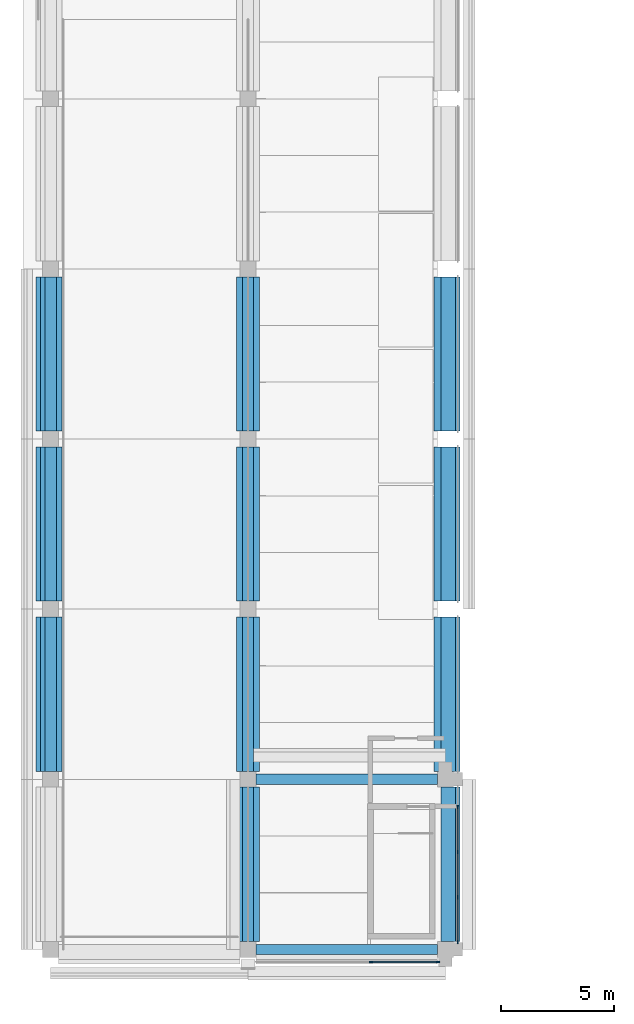
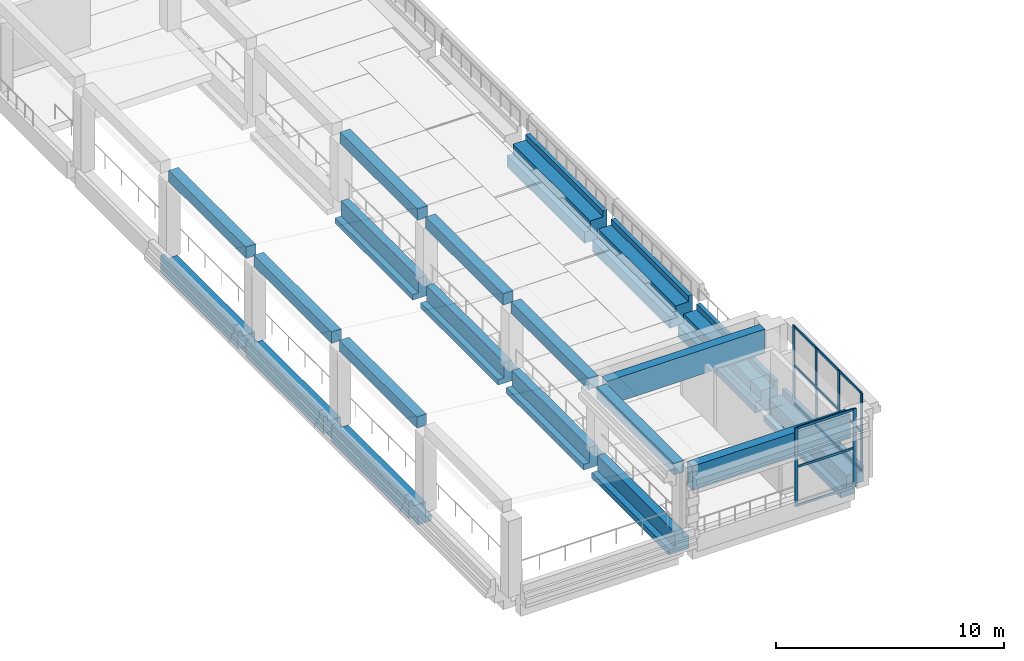
# One storey, part 2 of 17: 20 beams, 18 members, 2 elements without a shape of their own.
"""IFC4 building model written with IfcOpenShell, lengths in metres."""

from ifc_helpers import new_model, si_unit, direction, frame, origin, origin_2d, place, context, subcontext, project, spatial, polyline, rectangle, outline, extrude, material, layer, layer_set, material_profile, profile_set, type_object, element, aggregate, save


model = new_model("IFC4")

# Units and contexts
model_context = context("Model", 3, precision=1e-05, world=origin(), true_north=direction((0.0, 1.0)))
body_context = subcontext(model_context, "Body", "Model", "MODEL_VIEW")
ifc_project = project(units=[si_unit("LENGTHUNIT", "METRE"), si_unit("AREAUNIT", "SQUARE_METRE"), si_unit("VOLUMEUNIT", "CUBIC_METRE"), si_unit("PLANEANGLEUNIT", "RADIAN"), si_unit("MASSUNIT", "GRAM", prefix="KILO")], contexts=[model_context])

# Site, building, storey
site_placement = place(None, origin())
site = spatial("IfcSite", under=ifc_project, at=site_placement, CompositionType="ELEMENT")
building_placement = place(site_placement, origin())
building = spatial("IfcBuilding", under=site, at=building_placement, Name="Cour d'Honneur Mobility Palace", CompositionType="ELEMENT")
storey_placement = place(building_placement, frame((0.0, 0.0, 34.10009765625)))
storey = spatial("IfcBuildingStorey", under=building, at=storey_placement, Name="L09", CompositionType="ELEMENT", Elevation=34.10009765625)

# Curtain wall, members
ifc_material_1 = material(Name="Aluminium and glass", Category="aluminium")
ifc_layer = layer(ifc_material_1, 0.10009765625)
ifc_layer_set = layer_set([ifc_layer], Name="Aluminium and glass")
curtain_wall_type = type_object("IfcCurtainWallType", Name="Curtain wall run", PredefinedType="NOTDEFINED", material=ifc_layer_set)
curtain_wall_1_placement = place(storey_placement, origin())
curtain_wall_1 = element("IfcCurtainWall", 1, at=curtain_wall_1_placement, inside=storey, type_object=curtain_wall_type, Name="Curtain wall CW-169", PredefinedType="NOTDEFINED")
ifc_material_2 = material(Name="Aluminium", Category="aluminium")
ifc_material_profile_1 = material_profile(ifc_material_2, rectangle(XDim=0.06005859375, YDim=0.159912109375, at=origin_2d()), Name="Curtain wall mullion")
ifc_profile_set_1 = profile_set([ifc_material_profile_1], Name="Aluminium")
member_type_1 = type_object("IfcMemberType", Name="Curtain wall mullion", PredefinedType="MULLION", material=ifc_profile_set_1)
member_1_placement = place(storey_placement, frame((14.1298828125, -0.550048828125, 0.0), z_axis=(0.0, 0.0, 1.0), x_axis=(0.0, 1.0, 0.0)))
member_1 = element("IfcMember", 2, at=member_1_placement, type_object=member_type_1, Name="CW-169 mullion 1", PredefinedType="MULLION", context=body_context, shape_type="SweptSolid", body=[
    extrude(rectangle(XDim=0.06005859375, YDim=0.159912109375, at=origin_2d()), origin(), (0.0, 0.0, 1.0), 4.199951171875),
])
member_2_placement = place(storey_placement, frame((17.070068359375, -0.550048828125, 0.0), z_axis=(0.0, 0.0, 1.0), x_axis=(0.0, 1.0, 0.0)))
member_2 = element("IfcMember", 3, at=member_2_placement, type_object=member_type_1, Name="CW-169 mullion 2", PredefinedType="MULLION", context=body_context, shape_type="SweptSolid", body=[
    extrude(rectangle(XDim=0.06005859375, YDim=0.159912109375, at=origin_2d()), origin(), (0.0, 0.0, 1.0), 4.199951171875),
])

curtain_wall_2_placement = place(storey_placement, origin())
curtain_wall_2 = element("IfcCurtainWall", 4, at=curtain_wall_2_placement, inside=storey, type_object=curtain_wall_type, Name="Curtain wall CW-170", PredefinedType="NOTDEFINED")
member_3_placement = place(storey_placement, frame((17.949951171875, 0.330078125, 0.0), z_axis=(0.0, 0.0, 1.0), x_axis=(-1.0, 0.0, 0.0)))
member_3 = element("IfcMember", 5, at=member_3_placement, type_object=member_type_1, Name="CW-170 mullion 1", PredefinedType="MULLION", context=body_context, shape_type="SweptSolid", body=[
    extrude(rectangle(XDim=0.06005859375, YDim=0.159912109375, at=origin_2d()), origin(), (0.0, 0.0, 1.0), 4.199951171875),
])
member_4_placement = place(storey_placement, frame((17.949951171875, 2.300048828125, 0.0), z_axis=(0.0, 0.0, 1.0), x_axis=(-1.0, 0.0, 0.0)))
member_4 = element("IfcMember", 6, at=member_4_placement, type_object=member_type_1, Name="CW-170 mullion 2", PredefinedType="MULLION", context=body_context, shape_type="SweptSolid", body=[
    extrude(rectangle(XDim=0.06005859375, YDim=0.159912109375, at=origin_2d()), origin(), (0.0, 0.0, 1.0), 4.199951171875),
])
member_5_placement = place(storey_placement, frame((17.949951171875, 4.300048828125, 0.0), z_axis=(0.0, 0.0, 1.0), x_axis=(-1.0, 0.0, 0.0)))
member_5 = element("IfcMember", 7, at=member_5_placement, type_object=member_type_1, Name="CW-170 mullion 3", PredefinedType="MULLION", context=body_context, shape_type="SweptSolid", body=[
    extrude(rectangle(XDim=0.06005859375, YDim=0.159912109375, at=origin_2d()), origin(), (0.0, 0.0, 1.0), 4.199951171875),
])
member_6_placement = place(storey_placement, frame((17.949951171875, 6.27001953125, 0.0), z_axis=(0.0, 0.0, 1.0), x_axis=(-1.0, 0.0, 0.0)))
member_6 = element("IfcMember", 8, at=member_6_placement, type_object=member_type_1, Name="CW-170 mullion 4", PredefinedType="MULLION", context=body_context, shape_type="SweptSolid", body=[
    extrude(rectangle(XDim=0.06005859375, YDim=0.159912109375, at=origin_2d()), origin(), (0.0, 0.0, 1.0), 4.199951171875),
])

# Member
ifc_material_3 = material(Name="Aluminium", Category="aluminium")
ifc_material_profile_2 = material_profile(ifc_material_3, rectangle(XDim=0.06005859375, YDim=0.1201171875, at=origin_2d()), Name="Curtain wall transom")
ifc_profile_set_2 = profile_set([ifc_material_profile_2], Name="Aluminium")
member_type_2 = type_object("IfcMemberType", Name="Curtain wall transom", PredefinedType="USERDEFINED", material=ifc_profile_set_2)
member_7_placement = place(storey_placement, frame((14.159912109375, -0.550048828125, 0.02978515625), z_axis=(1.0, 0.0, 0.0), x_axis=(0.0, 1.0, 0.0)))
member_7 = element("IfcMember", 9, at=member_7_placement, type_object=member_type_2, Name="CW-169 transom 1.1", ObjectType="TRANSOM", PredefinedType="USERDEFINED", context=body_context, shape_type="SweptSolid", body=[
    extrude(rectangle(XDim=0.06005859375, YDim=0.1201171875, at=origin_2d()), origin(), (0.0, 0.0, 1.0), 2.880126953125),
])

member_8_placement = place(storey_placement, frame((14.159912109375, -0.550048828125, 2.099853515625), z_axis=(1.0, 0.0, 0.0), x_axis=(0.0, 1.0, 0.0)))
member_8 = element("IfcMember", 10, at=member_8_placement, type_object=member_type_2, Name="CW-169 transom 1.2", ObjectType="TRANSOM", PredefinedType="USERDEFINED", context=body_context, shape_type="SweptSolid", body=[
    extrude(rectangle(XDim=0.06005859375, YDim=0.1201171875, at=origin_2d()), origin(), (0.0, 0.0, 1.0), 2.880126953125),
])

member_9_placement = place(storey_placement, frame((14.159912109375, -0.550048828125, 4.169921875), z_axis=(1.0, 0.0, 0.0), x_axis=(0.0, 1.0, 0.0)))
member_9 = element("IfcMember", 11, at=member_9_placement, type_object=member_type_2, Name="CW-169 transom 1.3", ObjectType="TRANSOM", PredefinedType="USERDEFINED", context=body_context, shape_type="SweptSolid", body=[
    extrude(rectangle(XDim=0.06005859375, YDim=0.1201171875, at=origin_2d()), origin(), (0.0, 0.0, 1.0), 2.880126953125),
])

aggregate(curtain_wall_1, [member_1, member_2, member_7, member_8, member_9])

member_10_placement = place(storey_placement, frame((17.949951171875, 0.360107421875, 0.02978515625), z_axis=(0.0, 1.0, 0.0), x_axis=(-1.0, 0.0, 0.0)))
member_10 = element("IfcMember", 12, at=member_10_placement, type_object=member_type_2, Name="CW-170 transom 1.1", ObjectType="TRANSOM", PredefinedType="USERDEFINED", context=body_context, shape_type="SweptSolid", body=[
    extrude(rectangle(XDim=0.06005859375, YDim=0.1201171875, at=origin_2d()), origin(), (0.0, 0.0, 1.0), 1.909912109375),
])

member_11_placement = place(storey_placement, frame((17.949951171875, 0.360107421875, 2.099853515625), z_axis=(0.0, 1.0, 0.0), x_axis=(-1.0, 0.0, 0.0)))
member_11 = element("IfcMember", 13, at=member_11_placement, type_object=member_type_2, Name="CW-170 transom 1.2", ObjectType="TRANSOM", PredefinedType="USERDEFINED", context=body_context, shape_type="SweptSolid", body=[
    extrude(rectangle(XDim=0.06005859375, YDim=0.1201171875, at=origin_2d()), origin(), (0.0, 0.0, 1.0), 1.909912109375),
])

member_12_placement = place(storey_placement, frame((17.949951171875, 0.360107421875, 4.169921875), z_axis=(0.0, 1.0, 0.0), x_axis=(-1.0, 0.0, 0.0)))
member_12 = element("IfcMember", 14, at=member_12_placement, type_object=member_type_2, Name="CW-170 transom 1.3", ObjectType="TRANSOM", PredefinedType="USERDEFINED", context=body_context, shape_type="SweptSolid", body=[
    extrude(rectangle(XDim=0.06005859375, YDim=0.1201171875, at=origin_2d()), origin(), (0.0, 0.0, 1.0), 1.909912109375),
])

member_13_placement = place(storey_placement, frame((17.949951171875, 2.330078125, 0.02978515625), z_axis=(0.0, 1.0, 0.0), x_axis=(-1.0, 0.0, 0.0)))
member_13 = element("IfcMember", 15, at=member_13_placement, type_object=member_type_2, Name="CW-170 transom 2.1", ObjectType="TRANSOM", PredefinedType="USERDEFINED", context=body_context, shape_type="SweptSolid", body=[
    extrude(rectangle(XDim=0.06005859375, YDim=0.1201171875, at=origin_2d()), origin(), (0.0, 0.0, 1.0), 1.93994140625),
])

member_14_placement = place(storey_placement, frame((17.949951171875, 2.330078125, 2.099853515625), z_axis=(0.0, 1.0, 0.0), x_axis=(-1.0, 0.0, 0.0)))
member_14 = element("IfcMember", 16, at=member_14_placement, type_object=member_type_2, Name="CW-170 transom 2.2", ObjectType="TRANSOM", PredefinedType="USERDEFINED", context=body_context, shape_type="SweptSolid", body=[
    extrude(rectangle(XDim=0.06005859375, YDim=0.1201171875, at=origin_2d()), origin(), (0.0, 0.0, 1.0), 1.93994140625),
])

member_15_placement = place(storey_placement, frame((17.949951171875, 2.330078125, 4.169921875), z_axis=(0.0, 1.0, 0.0), x_axis=(-1.0, 0.0, 0.0)))
member_15 = element("IfcMember", 17, at=member_15_placement, type_object=member_type_2, Name="CW-170 transom 2.3", ObjectType="TRANSOM", PredefinedType="USERDEFINED", context=body_context, shape_type="SweptSolid", body=[
    extrude(rectangle(XDim=0.06005859375, YDim=0.1201171875, at=origin_2d()), origin(), (0.0, 0.0, 1.0), 1.93994140625),
])

member_16_placement = place(storey_placement, frame((17.949951171875, 4.330078125, 0.02978515625), z_axis=(0.0, 1.0, 0.0), x_axis=(-1.0, 0.0, 0.0)))
member_16 = element("IfcMember", 18, at=member_16_placement, type_object=member_type_2, Name="CW-170 transom 3.1", ObjectType="TRANSOM", PredefinedType="USERDEFINED", context=body_context, shape_type="SweptSolid", body=[
    extrude(rectangle(XDim=0.06005859375, YDim=0.1201171875, at=origin_2d()), origin(), (0.0, 0.0, 1.0), 1.909912109375),
])

member_17_placement = place(storey_placement, frame((17.949951171875, 4.330078125, 2.099853515625), z_axis=(0.0, 1.0, 0.0), x_axis=(-1.0, 0.0, 0.0)))
member_17 = element("IfcMember", 19, at=member_17_placement, type_object=member_type_2, Name="CW-170 transom 3.2", ObjectType="TRANSOM", PredefinedType="USERDEFINED", context=body_context, shape_type="SweptSolid", body=[
    extrude(rectangle(XDim=0.06005859375, YDim=0.1201171875, at=origin_2d()), origin(), (0.0, 0.0, 1.0), 1.909912109375),
])

member_18_placement = place(storey_placement, frame((17.949951171875, 4.330078125, 4.169921875), z_axis=(0.0, 1.0, 0.0), x_axis=(-1.0, 0.0, 0.0)))
member_18 = element("IfcMember", 20, at=member_18_placement, type_object=member_type_2, Name="CW-170 transom 3.3", ObjectType="TRANSOM", PredefinedType="USERDEFINED", context=body_context, shape_type="SweptSolid", body=[
    extrude(rectangle(XDim=0.06005859375, YDim=0.1201171875, at=origin_2d()), origin(), (0.0, 0.0, 1.0), 1.909912109375),
])

aggregate(curtain_wall_2, [member_3, member_4, member_5, member_6, member_10, member_11, member_12, member_13, member_14, member_15, member_16, member_17, member_18])

# Beams
ifc_material_4 = material(Name="Concrete C45", Category="concrete")
ifc_material_profile_3 = material_profile(ifc_material_4, outline(polyline([(0.22509765625, -1.300048828125), (0.22509765625, 0.0), (-0.22509765625, 0.0), (-0.22509765625, -1.300048828125), (0.22509765625, -1.300048828125)])), Name="Edge Spandrel Beam 450x1300 no ledge plain")
ifc_profile_set_3 = profile_set([ifc_material_profile_3], Name="Concrete C45")
beam_type_1 = type_object("IfcBeamType", Name="Edge Spandrel Beam 450x1300 no ledge plain", PredefinedType="SPANDREL", material=ifc_profile_set_3)
for number, where, z_axis, x_axis, name in (
    (21, (9.050048828125, 0.0, 3.699951171875), (1.0, 0.0, 0.0), (0.0, 1.0, 0.0), "Precast beam B25 1A-2 ROOF"),
    (22, (9.050048828125, 7.5, 3.699951171875), (1.0, 0.0, 0.0), (0.0, 1.0, 0.0), "Precast beam B25 1A-2 ROOF"),
):
    element("IfcBeam", number, at=place(storey_placement, frame(where, z_axis=z_axis, x_axis=x_axis)), inside=storey, type_object=beam_type_1, Name=name, PredefinedType="SPANDREL", context=body_context, shape_type="SweptSolid", body=[
        extrude(outline(polyline([(0.22509765625, -1.300048828125), (0.22509765625, 0.0), (-0.22509765625, 0.0), (-0.22509765625, -1.300048828125), (0.22509765625, -1.300048828125)])), origin(), (0.0, 0.0, 1.0), 8.0),
    ])
ifc_material_5 = material(Name="Concrete C45", Category="concrete")
ifc_material_profile_4 = material_profile(ifc_material_5, outline(polyline([(0.5, -1.10009765625), (0.5, -0.800048828125), (0.199951171875, -0.800048828125), (0.199951171875, 0.0), (-0.199951171875, 0.0), (-0.199951171875, -0.5), (-0.5, -0.5), (-0.5, -1.10009765625), (0.5, -1.10009765625)])), Name="Inverted Tee Beam 400x1100 ledges 300/600 plain")
ifc_profile_set_4 = profile_set([ifc_material_profile_4], Name="Concrete C45")
beam_type_2 = type_object("IfcBeamType", Name="Inverted Tee Beam 400x1100 ledges 300/600 plain", PredefinedType="T_BEAM", material=ifc_profile_set_4)
for number, where, z_axis, x_axis, name in (
    (23, (8.699951171875, 7.85009765625, 0.0), (0.0, 1.0, 0.0), (-1.0, 0.0, 0.0), "Precast beam B11 B-C L09"),
    (24, (8.699951171875, 15.35009765625, 0.0), (0.0, 1.0, 0.0), (-1.0, 0.0, 0.0), "Precast beam B11 C-D L09"),
    (25, (8.699951171875, 22.85009765625, 0.0), (0.0, 1.0, 0.0), (-1.0, 0.0, 0.0), "Precast beam B11 D-E L09"),
):
    element("IfcBeam", number, at=place(storey_placement, frame(where, z_axis=z_axis, x_axis=x_axis)), inside=storey, type_object=beam_type_2, Name=name, PredefinedType="T_BEAM", context=body_context, shape_type="SweptSolid", body=[
        extrude(outline(polyline([(0.5, -1.10009765625), (0.5, -0.800048828125), (0.199951171875, -0.800048828125), (0.199951171875, 0.0), (-0.199951171875, 0.0), (-0.199951171875, -0.5), (-0.5, -0.5), (-0.5, -1.10009765625), (0.5, -1.10009765625)])), origin(), (0.0, 0.0, 1.0), 6.7998046875),
    ])
ifc_material_6 = material(Name="Concrete C45", Category="concrete")
ifc_material_profile_5 = material_profile(ifc_material_6, outline(polyline([(0.5, -1.10009765625), (0.5, -0.800048828125), (0.199951171875, -0.800048828125), (0.199951171875, 0.0), (-0.199951171875, 0.0), (-0.199951171875, -0.39990234375), (-0.5, -0.39990234375), (-0.5, -1.10009765625), (0.5, -1.10009765625)])), Name="Inverted Tee Beam 400x1100 ledges 300/700 plain")
ifc_profile_set_5 = profile_set([ifc_material_profile_5], Name="Concrete C45")
beam_type_3 = type_object("IfcBeamType", Name="Inverted Tee Beam 400x1100 ledges 300/700 plain", PredefinedType="T_BEAM", material=ifc_profile_set_5)
beam_1_placement = place(storey_placement, frame((8.699951171875, 0.35009765625, 0.0), z_axis=(0.0, 1.0, 0.0), x_axis=(-1.0, 0.0, 0.0)))
element("IfcBeam", 26, at=beam_1_placement, inside=storey, type_object=beam_type_3, Name="Precast beam B10 A-B L09", PredefinedType="T_BEAM", context=body_context, shape_type="SweptSolid", body=[
    extrude(outline(polyline([(0.5, -1.10009765625), (0.5, -0.800048828125), (0.199951171875, -0.800048828125), (0.199951171875, 0.0), (-0.199951171875, 0.0), (-0.199951171875, -0.39990234375), (-0.5, -0.39990234375), (-0.5, -1.10009765625), (0.5, -1.10009765625)])), origin(), (0.0, 0.0, 1.0), 6.7998046875),
])
ifc_material_7 = material(Name="Concrete C45", Category="concrete")
ifc_material_profile_6 = material_profile(ifc_material_7, outline(polyline([(0.5, -1.10009765625), (0.5, -0.800048828125), (0.199951171875, -0.800048828125), (0.199951171875, 0.0), (-0.199951171875, 0.0), (-0.449951171875, 0.0), (-0.449951171875, 0.300048828125), (-0.64990234375, 0.300048828125), (-0.64990234375, -0.60009765625), (-0.199951171875, -0.60009765625), (-0.199951171875, -1.10009765625), (0.5, -1.10009765625)])), Name="Ledger Beam 400x1100 ledge left 300 facade right")
ifc_profile_set_6 = profile_set([ifc_material_profile_6], Name="Concrete C45")
beam_type_4 = type_object("IfcBeamType", Name="Ledger Beam 400x1100 ledge left 300 facade right", PredefinedType="BEAM", material=ifc_profile_set_6)
beam_2_placement = place(storey_placement, frame((17.39990234375, 0.35009765625, 0.0), z_axis=(0.0, 1.0, 0.0), x_axis=(-1.0, 0.0, 0.0)))
element("IfcBeam", 27, at=beam_2_placement, inside=storey, type_object=beam_type_4, Name="Precast beam B3 A-B L09", PredefinedType="BEAM", context=body_context, shape_type="SweptSolid", body=[
    extrude(outline(polyline([(0.5, -1.10009765625), (0.5, -0.800048828125), (0.199951171875, -0.800048828125), (0.199951171875, 0.0), (-0.199951171875, 0.0), (-0.449951171875, 0.0), (-0.449951171875, 0.300048828125), (-0.64990234375, 0.300048828125), (-0.64990234375, -0.60009765625), (-0.199951171875, -0.60009765625), (-0.199951171875, -1.10009765625), (0.5, -1.10009765625)])), origin(), (0.0, 0.0, 1.0), 6.7998046875),
])
ifc_material_8 = material(Name="Concrete C45", Category="concrete")
ifc_material_profile_7 = material_profile(ifc_material_8, outline(polyline([(0.5, -1.10009765625), (0.5, -0.5), (0.199951171875, -0.5), (0.199951171875, 0.0), (-0.199951171875, 0.0), (-0.449951171875, 0.0), (-0.449951171875, 0.300048828125), (-0.64990234375, 0.300048828125), (-0.64990234375, -0.60009765625), (-0.199951171875, -0.60009765625), (-0.199951171875, -1.10009765625), (0.5, -1.10009765625)])), Name="Ledger Beam 400x1100 ledge left 600 facade right")
ifc_profile_set_7 = profile_set([ifc_material_profile_7], Name="Concrete C45")
beam_type_5 = type_object("IfcBeamType", Name="Ledger Beam 400x1100 ledge left 600 facade right", PredefinedType="BEAM", material=ifc_profile_set_7)
for number, where, z_axis, x_axis, name in (
    (28, (17.39990234375, 7.85009765625, 0.0), (0.0, 1.0, 0.0), (-1.0, 0.0, 0.0), "Precast beam B12 B-C L09"),
    (29, (17.39990234375, 15.35009765625, 0.0), (0.0, 1.0, 0.0), (-1.0, 0.0, 0.0), "Precast beam B12 C-D L09"),
    (30, (17.39990234375, 22.85009765625, 0.0), (0.0, 1.0, 0.0), (-1.0, 0.0, 0.0), "Precast beam B12 D-E L09"),
):
    element("IfcBeam", number, at=place(storey_placement, frame(where, z_axis=z_axis, x_axis=x_axis)), inside=storey, type_object=beam_type_5, Name=name, PredefinedType="BEAM", context=body_context, shape_type="SweptSolid", body=[
        extrude(outline(polyline([(0.5, -1.10009765625), (0.5, -0.5), (0.199951171875, -0.5), (0.199951171875, 0.0), (-0.199951171875, 0.0), (-0.449951171875, 0.0), (-0.449951171875, 0.300048828125), (-0.64990234375, 0.300048828125), (-0.64990234375, -0.60009765625), (-0.199951171875, -0.60009765625), (-0.199951171875, -1.10009765625), (0.5, -1.10009765625)])), origin(), (0.0, 0.0, 1.0), 6.7998046875),
    ])
ifc_material_9 = material(Name="Concrete C45", Category="concrete")
ifc_material_profile_8 = material_profile(ifc_material_9, outline(polyline([(0.199951171875, -1.10009765625), (0.199951171875, -0.60009765625), (0.64990234375, -0.60009765625), (0.64990234375, 0.300048828125), (0.449951171875, 0.300048828125), (0.449951171875, 0.0), (0.199951171875, 0.0), (-0.199951171875, 0.0), (-0.199951171875, -0.800048828125), (-0.5, -0.800048828125), (-0.5, -1.10009765625), (0.199951171875, -1.10009765625)])), Name="Ledger Beam 400x1100 ledge right 300 facade left")
ifc_profile_set_8 = profile_set([ifc_material_profile_8], Name="Concrete C45")
beam_type_6 = type_object("IfcBeamType", Name="Ledger Beam 400x1100 ledge right 300 facade left", PredefinedType="BEAM", material=ifc_profile_set_8)
for number, where, z_axis, x_axis, name in (
    (31, (0.0, 7.85009765625, 0.0), (0.0, 1.0, 0.0), (-1.0, 0.0, 0.0), "Precast beam B6 B-C L09"),
    (32, (0.0, 15.35009765625, 0.0), (0.0, 1.0, 0.0), (-1.0, 0.0, 0.0), "Precast beam B6 C-D L09"),
    (33, (0.0, 22.85009765625, 0.0), (0.0, 1.0, 0.0), (-1.0, 0.0, 0.0), "Precast beam B6 D-E L09"),
):
    element("IfcBeam", number, at=place(storey_placement, frame(where, z_axis=z_axis, x_axis=x_axis)), inside=storey, type_object=beam_type_6, Name=name, PredefinedType="BEAM", context=body_context, shape_type="SweptSolid", body=[
        extrude(outline(polyline([(0.199951171875, -1.10009765625), (0.199951171875, -0.60009765625), (0.64990234375, -0.60009765625), (0.64990234375, 0.300048828125), (0.449951171875, 0.300048828125), (0.449951171875, 0.0), (0.199951171875, 0.0), (-0.199951171875, 0.0), (-0.199951171875, -0.800048828125), (-0.5, -0.800048828125), (-0.5, -1.10009765625), (0.199951171875, -1.10009765625)])), origin(), (0.0, 0.0, 1.0), 6.7998046875),
    ])
ifc_material_10 = material(Name="Concrete C50", Category="concrete")
ifc_material_profile_9 = material_profile(ifc_material_10, rectangle(XDim=0.5, YDim=0.60009765625, at=origin_2d()), Name="Ramp house roof beam 500x600")
ifc_profile_set_9 = profile_set([ifc_material_profile_9], Name="Concrete C50")
beam_type_7 = type_object("IfcBeamType", Name="Ramp house roof beam 500x600", PredefinedType="BEAM", material=ifc_profile_set_9)
for number, where, z_axis, x_axis, name in (
    (34, (0.0, 7.85009765625, 4.39990234375), (0.0, 1.0, 0.0), (-1.0, 0.0, 0.0), "Ramp house roof beam RHB-WO2"),
    (35, (0.0, 15.35009765625, 4.39990234375), (0.0, 1.0, 0.0), (-1.0, 0.0, 0.0), "Ramp house roof beam RHB-WO3"),
    (36, (0.0, 22.85009765625, 4.39990234375), (0.0, 1.0, 0.0), (-1.0, 0.0, 0.0), "Ramp house roof beam RHB-WO4"),
    (37, (8.699951171875, 0.35009765625, 3.39990234375), (0.0, 1.0, 0.0), (-1.0, 0.0, 0.0), "Ramp house roof beam RHB-WI1"),
    (38, (8.699951171875, 7.85009765625, 3.39990234375), (0.0, 1.0, 0.0), (-1.0, 0.0, 0.0), "Ramp house roof beam RHB-WI2"),
    (39, (8.699951171875, 15.35009765625, 3.39990234375), (0.0, 1.0, 0.0), (-1.0, 0.0, 0.0), "Ramp house roof beam RHB-WI3"),
    (40, (8.699951171875, 22.85009765625, 3.39990234375), (0.0, 1.0, 0.0), (-1.0, 0.0, 0.0), "Ramp house roof beam RHB-WI4"),
):
    element("IfcBeam", number, at=place(storey_placement, frame(where, z_axis=z_axis, x_axis=x_axis)), inside=storey, type_object=beam_type_7, Name=name, PredefinedType="BEAM", context=body_context, shape_type="SweptSolid", body=[
        extrude(rectangle(XDim=0.5, YDim=0.60009765625, at=origin_2d()), origin(), (0.0, 0.0, 1.0), 6.7998046875),
    ])

save(model, "model.ifc")
